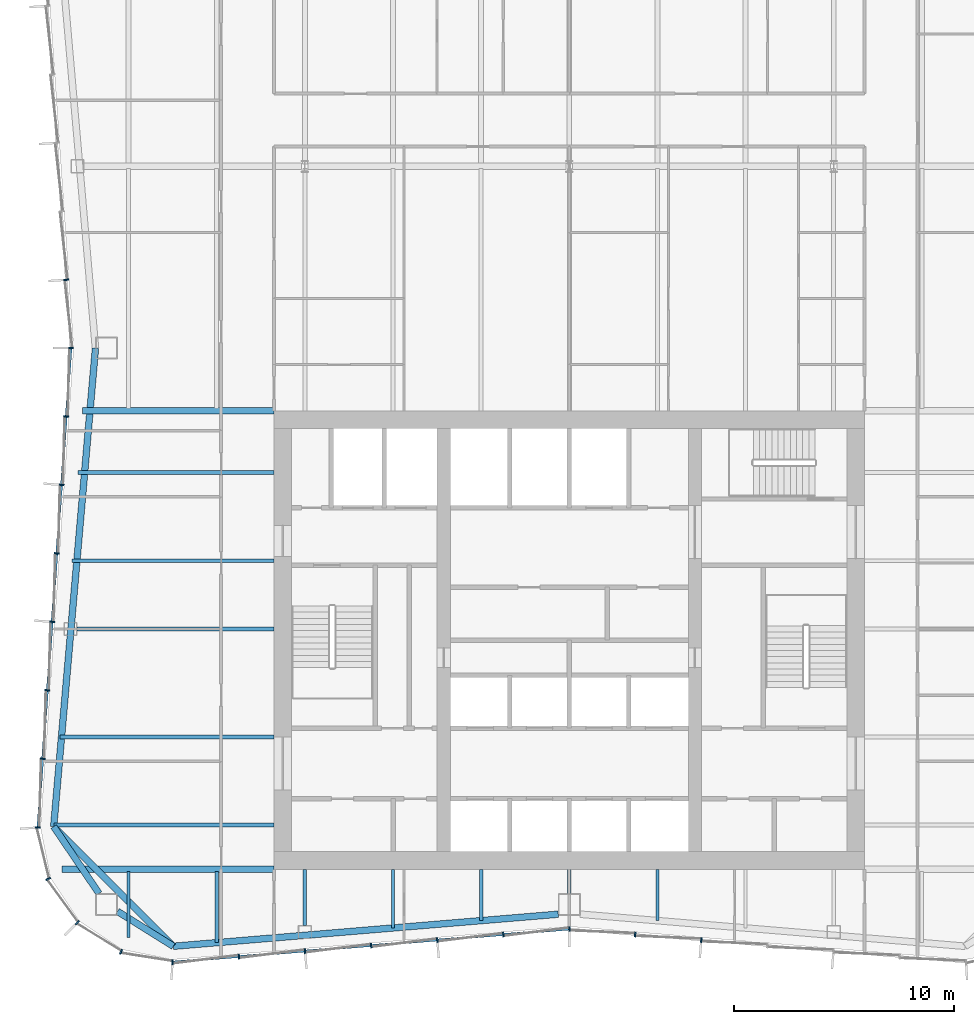
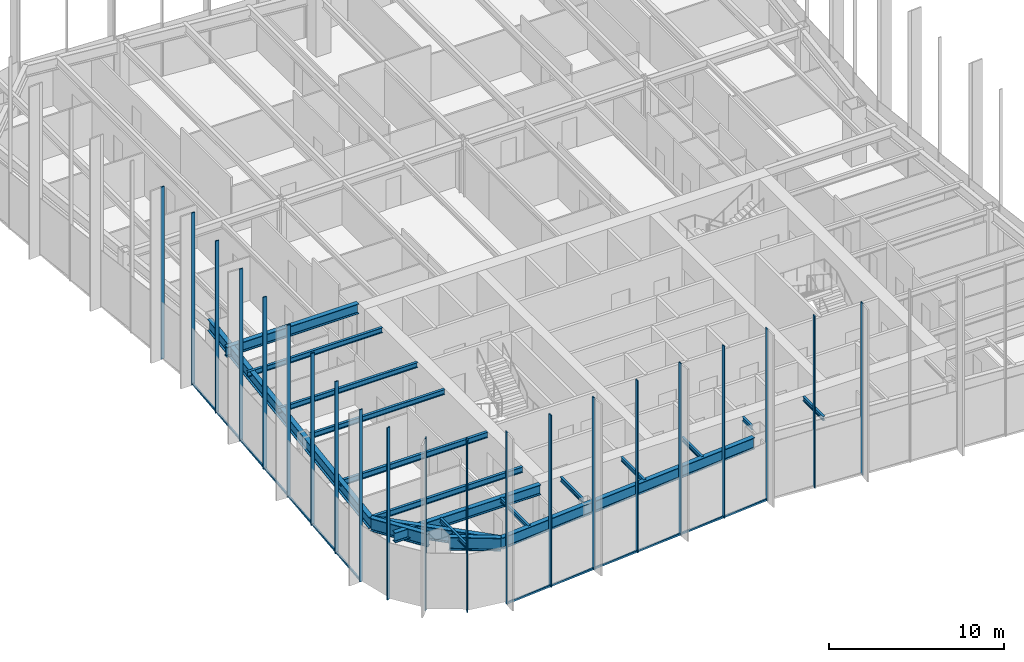
# One storey, part 3 of 15: 23 members, 19 beams, 3 elements without a shape of their own.
"""IFC4 building model written with IfcOpenShell, lengths in metres."""

from ifc_helpers import new_model, si_unit, direction, frame, origin, origin_2d, place, context, subcontext, project, spatial, rectangle, i_section, extrude, material, material_profile, profile_set, type_object, element, aggregate, save


model = new_model("IFC4")

# Units and contexts
model_context = context("Model", 3, precision=1e-05, world=origin(), true_north=direction((0.0, 1.0)))
body_context = subcontext(model_context, "Body", "Model", "MODEL_VIEW")
ifc_project = project(units=[si_unit("LENGTHUNIT", "METRE"), si_unit("AREAUNIT", "SQUARE_METRE"), si_unit("VOLUMEUNIT", "CUBIC_METRE"), si_unit("PLANEANGLEUNIT", "RADIAN"), si_unit("MASSUNIT", "GRAM", prefix="KILO")], contexts=[model_context])

# Site, building, storey
site_placement = place(None, origin())
site = spatial("IfcSite", under=ifc_project, at=site_placement, CompositionType="ELEMENT")
building_placement = place(site_placement, origin())
building = spatial("IfcBuilding", under=site, at=building_placement, Name="Verdant Reach Tower", CompositionType="ELEMENT")
storey_placement = place(building_placement, frame((0.0, 0.0, 262.0)))
storey = spatial("IfcBuildingStorey", under=building, at=storey_placement, Name="L60", CompositionType="ELEMENT", Elevation=262.0)

# Curtain wall, members
ifc_material_1 = material(Name="Anodised aluminium", Category="aluminium")
curtain_wall_type = type_object("IfcCurtainWallType", Name="EN-CW SYSTEM Z4", PredefinedType="NOTDEFINED", material=ifc_material_1)
curtain_wall_1_placement = place(storey_placement, origin())
curtain_wall_1 = element("IfcCurtainWall", 1, at=curtain_wall_1_placement, inside=storey, type_object=curtain_wall_type, Name="Curtain wall west, L60", PredefinedType="NOTDEFINED")
ifc_material_profile_1 = material_profile(ifc_material_1, rectangle(XDim=0.22412109375, YDim=0.068115234375, at=origin_2d()), Name="Mullion 68x224")
ifc_profile_set_1 = profile_set([ifc_material_profile_1], Name="Anodised aluminium")
member_type_1 = type_object("IfcMemberType", Name="EN-MULLION Z4", PredefinedType="MULLION", material=ifc_profile_set_1)
member_1_placement = place(storey_placement, frame((-22.825927734375, 44.349365234375, -0.35009765625), z_axis=(0.0, 0.0, 1.0), x_axis=(-0.997630328423, -0.068802091615, 0.0)))
member_1 = element("IfcMember", 2, at=member_1_placement, type_object=member_type_1, Name="Mullion west face part 1 7, L60", PredefinedType="MULLION", context=body_context, shape_type="SweptSolid", body=[
    extrude(rectangle(XDim=0.22412109375, YDim=0.068115234375, at=origin_2d()), origin(), (0.0, 0.0, 1.0), 12.0),
])
member_2_placement = place(storey_placement, frame((-22.612060546875, 41.25, -0.35009765625), z_axis=(0.0, 0.0, 1.0), x_axis=(-1.0, 0.0, 0.0)))
member_2 = element("IfcMember", 3, at=member_2_placement, type_object=member_type_1, Name="Mullion west face part 2 1, L60", PredefinedType="MULLION", context=body_context, shape_type="SweptSolid", body=[
    extrude(rectangle(XDim=0.22412109375, YDim=0.068115234375, at=origin_2d()), origin(), (0.0, 0.0, 1.0), 12.0),
])
member_3_placement = place(storey_placement, frame((-22.825927734375, 38.150634765625, -0.35009765625), z_axis=(0.0, 0.0, 1.0), x_axis=(-0.997630328423, 0.068802091615, 0.0)))
member_3 = element("IfcMember", 4, at=member_3_placement, type_object=member_type_1, Name="Mullion west face part 2 2, L60", PredefinedType="MULLION", context=body_context, shape_type="SweptSolid", body=[
    extrude(rectangle(XDim=0.22412109375, YDim=0.068115234375, at=origin_2d()), origin(), (0.0, 0.0, 1.0), 12.0),
])
member_4_placement = place(storey_placement, frame((-23.040283203125, 35.04345703125, -0.35009765625), z_axis=(0.0, 0.0, 1.0), x_axis=(-0.997630328423, 0.068802091615, 0.0)))
member_4 = element("IfcMember", 5, at=member_4_placement, type_object=member_type_1, Name="Mullion west face part 2 3, L60", PredefinedType="MULLION", context=body_context, shape_type="SweptSolid", body=[
    extrude(rectangle(XDim=0.22412109375, YDim=0.068115234375, at=origin_2d()), origin(), (0.0, 0.0, 1.0), 12.0),
])
member_5_placement = place(storey_placement, frame((-23.254638671875, 31.936279296875, -0.35009765625), z_axis=(0.0, 0.0, 1.0), x_axis=(-0.997630328423, 0.068802091615, 0.0)))
member_5 = element("IfcMember", 6, at=member_5_placement, type_object=member_type_1, Name="Mullion west face part 2 4, L60", PredefinedType="MULLION", context=body_context, shape_type="SweptSolid", body=[
    extrude(rectangle(XDim=0.22412109375, YDim=0.068115234375, at=origin_2d()), origin(), (0.0, 0.0, 1.0), 12.0),
])
member_6_placement = place(storey_placement, frame((-23.468994140625, 28.8291015625, -0.35009765625), z_axis=(0.0, 0.0, 1.0), x_axis=(-0.997630328423, 0.068802091615, 0.0)))
member_6 = element("IfcMember", 7, at=member_6_placement, type_object=member_type_1, Name="Mullion west face part 2 5, L60", PredefinedType="MULLION", context=body_context, shape_type="SweptSolid", body=[
    extrude(rectangle(XDim=0.22412109375, YDim=0.068115234375, at=origin_2d()), origin(), (0.0, 0.0, 1.0), 12.0),
])
member_7_placement = place(storey_placement, frame((-23.68310546875, 25.721923828125, -0.35009765625), z_axis=(0.0, 0.0, 1.0), x_axis=(-0.997630328423, 0.068802091615, 0.0)))
member_7 = element("IfcMember", 8, at=member_7_placement, type_object=member_type_1, Name="Mullion west face part 2 6, L60", PredefinedType="MULLION", context=body_context, shape_type="SweptSolid", body=[
    extrude(rectangle(XDim=0.22412109375, YDim=0.068115234375, at=origin_2d()), origin(), (0.0, 0.0, 1.0), 12.0),
])
member_8_placement = place(storey_placement, frame((-23.8974609375, 22.61474609375, -0.35009765625), z_axis=(0.0, 0.0, 1.0), x_axis=(-0.997630328423, 0.068802091615, 0.0)))
member_8 = element("IfcMember", 9, at=member_8_placement, type_object=member_type_1, Name="Mullion west face part 2 7, L60", PredefinedType="MULLION", context=body_context, shape_type="SweptSolid", body=[
    extrude(rectangle(XDim=0.22412109375, YDim=0.068115234375, at=origin_2d()), origin(), (0.0, 0.0, 1.0), 12.0),
])

curtain_wall_2_placement = place(storey_placement, origin())
curtain_wall_2 = element("IfcCurtainWall", 10, at=curtain_wall_2_placement, inside=storey, type_object=curtain_wall_type, Name="Curtain wall south-west corner, L60", PredefinedType="NOTDEFINED")
member_9_placement = place(storey_placement, frame((-24.11181640625, 19.492919921875, -0.35009765625), z_axis=(0.0, 0.0, 1.0), x_axis=(-0.997969180898, -0.063698618332, 0.0)))
member_9 = element("IfcMember", 11, at=member_9_placement, type_object=member_type_1, Name="Mullion south-west corner 1, L60", PredefinedType="MULLION", context=body_context, shape_type="SweptSolid", body=[
    extrude(rectangle(XDim=0.22412109375, YDim=0.068115234375, at=origin_2d()), origin(), (0.0, 0.0, 1.0), 12.0),
])
member_10_placement = place(storey_placement, frame((-23.646728515625, 17.1611328125, -0.35009765625), z_axis=(0.0, 0.0, 1.0), x_axis=(-0.923875215753, -0.382693853776, 0.0)))
member_10 = element("IfcMember", 12, at=member_10_placement, type_object=member_type_1, Name="Mullion south-west corner 2, L60", PredefinedType="MULLION", context=body_context, shape_type="SweptSolid", body=[
    extrude(rectangle(XDim=0.22412109375, YDim=0.068115234375, at=origin_2d()), origin(), (0.0, 0.0, 1.0), 12.0),
])
member_11_placement = place(storey_placement, frame((-22.32177734375, 15.17822265625, -0.35009765625), z_axis=(0.0, 0.0, 1.0), x_axis=(-0.707106781187, -0.707106781187, 0.0)))
member_11 = element("IfcMember", 13, at=member_11_placement, type_object=member_type_1, Name="Mullion south-west corner 3, L60", PredefinedType="MULLION", context=body_context, shape_type="SweptSolid", body=[
    extrude(rectangle(XDim=0.22412109375, YDim=0.068115234375, at=origin_2d()), origin(), (0.0, 0.0, 1.0), 12.0),
])
member_12_placement = place(storey_placement, frame((-20.3388671875, 13.853271484375, -0.35009765625), z_axis=(0.0, 0.0, 1.0), x_axis=(-0.382693853776, -0.923875215753, 0.0)))
member_12 = element("IfcMember", 14, at=member_12_placement, type_object=member_type_1, Name="Mullion south-west corner 4, L60", PredefinedType="MULLION", context=body_context, shape_type="SweptSolid", body=[
    extrude(rectangle(XDim=0.22412109375, YDim=0.068115234375, at=origin_2d()), origin(), (0.0, 0.0, 1.0), 12.0),
])
aggregate(curtain_wall_2, [member_9, member_10, member_11, member_12])

curtain_wall_3_placement = place(storey_placement, origin())
curtain_wall_3 = element("IfcCurtainWall", 15, at=curtain_wall_3_placement, inside=storey, type_object=curtain_wall_type, Name="Curtain wall south, L60", PredefinedType="NOTDEFINED")
member_13_placement = place(storey_placement, frame((-18.00634765625, 13.38818359375, -0.35009765625), z_axis=(0.0, 0.0, 1.0), x_axis=(-0.056569187765, -0.998398681387, 0.0)))
member_13 = element("IfcMember", 16, at=member_13_placement, type_object=member_type_1, Name="Mullion south face part 1 1, L60", PredefinedType="MULLION", context=body_context, shape_type="SweptSolid", body=[
    extrude(rectangle(XDim=0.22412109375, YDim=0.068115234375, at=origin_2d()), origin(), (0.0, 0.0, 1.0), 12.0),
])
member_14_placement = place(storey_placement, frame((-14.99072265625, 13.638427734375, -0.35009765625), z_axis=(0.0, 0.0, 1.0), x_axis=(0.083045479859, -0.996545758244, 0.0)))
member_14 = element("IfcMember", 17, at=member_14_placement, type_object=member_type_1, Name="Mullion south face part 1 2, L60", PredefinedType="MULLION", context=body_context, shape_type="SweptSolid", body=[
    extrude(rectangle(XDim=0.22412109375, YDim=0.068115234375, at=origin_2d()), origin(), (0.0, 0.0, 1.0), 12.0),
])
member_15_placement = place(storey_placement, frame((-11.99072265625, 13.888427734375, -0.35009765625), z_axis=(0.0, 0.0, 1.0), x_axis=(0.083045479859, -0.996545758244, 0.0)))
member_15 = element("IfcMember", 18, at=member_15_placement, type_object=member_type_1, Name="Mullion south face part 1 3, L60", PredefinedType="MULLION", context=body_context, shape_type="SweptSolid", body=[
    extrude(rectangle(XDim=0.22412109375, YDim=0.068115234375, at=origin_2d()), origin(), (0.0, 0.0, 1.0), 12.0),
])
member_16_placement = place(storey_placement, frame((-8.99072265625, 14.138427734375, -0.35009765625), z_axis=(0.0, 0.0, 1.0), x_axis=(0.083045479859, -0.996545758244, 0.0)))
member_16 = element("IfcMember", 19, at=member_16_placement, type_object=member_type_1, Name="Mullion south face part 1 4, L60", PredefinedType="MULLION", context=body_context, shape_type="SweptSolid", body=[
    extrude(rectangle(XDim=0.22412109375, YDim=0.068115234375, at=origin_2d()), origin(), (0.0, 0.0, 1.0), 12.0),
])
member_17_placement = place(storey_placement, frame((-5.99072265625, 14.388427734375, -0.35009765625), z_axis=(0.0, 0.0, 1.0), x_axis=(0.083045479859, -0.996545758244, 0.0)))
member_17 = element("IfcMember", 20, at=member_17_placement, type_object=member_type_1, Name="Mullion south face part 1 5, L60", PredefinedType="MULLION", context=body_context, shape_type="SweptSolid", body=[
    extrude(rectangle(XDim=0.22412109375, YDim=0.068115234375, at=origin_2d()), origin(), (0.0, 0.0, 1.0), 12.0),
])
member_18_placement = place(storey_placement, frame((-2.99072265625, 14.638427734375, -0.35009765625), z_axis=(0.0, 0.0, 1.0), x_axis=(0.083045479859, -0.996545758244, 0.0)))
member_18 = element("IfcMember", 21, at=member_18_placement, type_object=member_type_1, Name="Mullion south face part 1 6, L60", PredefinedType="MULLION", context=body_context, shape_type="SweptSolid", body=[
    extrude(rectangle(XDim=0.22412109375, YDim=0.068115234375, at=origin_2d()), origin(), (0.0, 0.0, 1.0), 12.0),
])
member_19_placement = place(storey_placement, frame((0.0, 14.887939453125, -0.35009765625), z_axis=(0.0, 0.0, 1.0), x_axis=(0.0, -1.0, 0.0)))
member_19 = element("IfcMember", 22, at=member_19_placement, type_object=member_type_1, Name="Mullion south face part 2 1, L60", PredefinedType="MULLION", context=body_context, shape_type="SweptSolid", body=[
    extrude(rectangle(XDim=0.22412109375, YDim=0.068115234375, at=origin_2d()), origin(), (0.0, 0.0, 1.0), 12.0),
])
member_20_placement = place(storey_placement, frame((2.99072265625, 14.638427734375, -0.35009765625), z_axis=(0.0, 0.0, 1.0), x_axis=(-0.083045479859, -0.996545758244, 0.0)))
member_20 = element("IfcMember", 23, at=member_20_placement, type_object=member_type_1, Name="Mullion south face part 2 2, L60", PredefinedType="MULLION", context=body_context, shape_type="SweptSolid", body=[
    extrude(rectangle(XDim=0.22412109375, YDim=0.068115234375, at=origin_2d()), origin(), (0.0, 0.0, 1.0), 12.0),
])
member_21_placement = place(storey_placement, frame((5.99072265625, 14.388427734375, -0.35009765625), z_axis=(0.0, 0.0, 1.0), x_axis=(-0.083045479859, -0.996545758244, 0.0)))
member_21 = element("IfcMember", 24, at=member_21_placement, type_object=member_type_1, Name="Mullion south face part 2 3, L60", PredefinedType="MULLION", context=body_context, shape_type="SweptSolid", body=[
    extrude(rectangle(XDim=0.22412109375, YDim=0.068115234375, at=origin_2d()), origin(), (0.0, 0.0, 1.0), 12.0),
])

# Member
ifc_material_profile_2 = material_profile(ifc_material_1, rectangle(XDim=0.10009765625, YDim=0.1279296875, at=origin_2d()), Name="Transom 128x100")
ifc_profile_set_2 = profile_set([ifc_material_profile_2], Name="Anodised aluminium")
member_type_2 = type_object("IfcMemberType", Name="EN-TRANSOM Z4", PredefinedType="USERDEFINED", material=ifc_profile_set_2)
member_22_placement = place(storey_placement, frame((-22.6142578125, 41.216064453125, -0.285888671875), z_axis=(-0.068770489035, -0.997632507408, 0.0), x_axis=(0.997632507408, -0.068770489035, 0.0)))
member_22 = element("IfcMember", 25, at=member_22_placement, type_object=member_type_2, Name="Transom west face part 2 1.1, L60", ObjectType="TRANSOM", PredefinedType="USERDEFINED", context=body_context, shape_type="SweptSolid", body=[
    extrude(rectangle(XDim=0.10009765625, YDim=0.1279296875, at=origin_2d()), origin(), (0.0, 0.0, 1.0), 21.74072265625),
])

aggregate(curtain_wall_1, [member_1, member_2, member_3, member_4, member_5, member_6, member_7, member_8, member_22])

member_23_placement = place(storey_placement, frame((-17.972412109375, 13.39111328125, -0.285888671875), z_axis=(0.996549124771, 0.083005071637, 0.0), x_axis=(-0.083005071637, 0.996549124771, 0.0)))
member_23 = element("IfcMember", 26, at=member_23_placement, type_object=member_type_2, Name="Transom south face part 1 1.1, L60", ObjectType="TRANSOM", PredefinedType="USERDEFINED", context=body_context, shape_type="SweptSolid", body=[
    extrude(rectangle(XDim=0.10009765625, YDim=0.1279296875, at=origin_2d()), origin(), (0.0, 0.0, 1.0), 18.00048828125),
])

aggregate(curtain_wall_3, [member_13, member_14, member_15, member_16, member_17, member_18, member_23, member_19, member_20, member_21])

# Beams
ifc_material_2 = material(Name="Steel S355", Category="steel")
ifc_material_profile_3 = material_profile(ifc_material_2, i_section(OverallWidth=0.300048828125, OverallDepth=0.699951171875, WebThickness=0.01708984375, FlangeThickness=0.031982421875, FilletRadius=0.027099609375, at=origin_2d()), Name="HEB 700")
ifc_profile_set_3 = profile_set([ifc_material_profile_3], Name="Steel S355")
beam_type_1 = type_object("IfcBeamType", Name="ST-BEAM-HEB700", PredefinedType="BEAM", material=ifc_profile_set_3)
beam_1_placement = place(storey_placement, frame((-13.39990234375, 38.39990234375, 3.52001953125), z_axis=(-1.0, 0.0, 0.0), x_axis=(0.0, -1.0, 0.0)))
element("IfcBeam", 27, at=beam_1_placement, inside=storey, type_object=beam_type_1, Name="Trimmer beam, L60", PredefinedType="BEAM", context=body_context, shape_type="SweptSolid", body=[
    extrude(i_section(OverallWidth=0.300048828125, OverallDepth=0.699951171875, WebThickness=0.01708984375, FlangeThickness=0.031982421875, FilletRadius=0.027099609375, at=origin_2d()), origin(), (0.0, 0.0, 1.0), 8.6953125),
])
beam_2_placement = place(storey_placement, frame((-13.39990234375, 17.60009765625, 3.52001953125), z_axis=(-1.0, 0.0, 0.0), x_axis=(0.0, -1.0, 0.0)))
element("IfcBeam", 28, at=beam_2_placement, inside=storey, type_object=beam_type_1, Name="Trimmer beam, L60", PredefinedType="BEAM", context=body_context, shape_type="SweptSolid", body=[
    extrude(i_section(OverallWidth=0.300048828125, OverallDepth=0.699951171875, WebThickness=0.01708984375, FlangeThickness=0.031982421875, FilletRadius=0.027099609375, at=origin_2d()), origin(), (0.0, 0.0, 1.0), 9.6103515625),
])
ifc_material_profile_4 = material_profile(ifc_material_2, i_section(OverallWidth=0.302001953125, OverallDepth=0.909912109375, WebThickness=0.02099609375, FlangeThickness=0.0400390625, FilletRadius=0.030029296875, at=origin_2d()), Name="HEM 900")
ifc_profile_set_4 = profile_set([ifc_material_profile_4], Name="Steel S355")
beam_type_2 = type_object("IfcBeamType", Name="ST-BEAM-HEM900", PredefinedType="BEAM", material=ifc_profile_set_4)
beam_3_placement = place(storey_placement, frame((-20.5, 15.687744140625, 3.4150390625), z_axis=(0.848163521635, -0.529734500073, 0.0), x_axis=(0.529734500073, 0.848163521635, 0.0)))
element("IfcBeam", 29, at=beam_3_placement, inside=storey, type_object=beam_type_2, Name="Column stub beam, L60", PredefinedType="BEAM", context=body_context, shape_type="SweptSolid", body=[
    extrude(i_section(OverallWidth=0.302001953125, OverallDepth=0.909912109375, WebThickness=0.02099609375, FlangeThickness=0.0400390625, FilletRadius=0.030029296875, at=origin_2d()), origin(), (0.0, 0.0, 1.0), 2.98779296875),
])
beam_4_placement = place(storey_placement, frame((-21.33837890625, 16.5, 3.4150390625), z_axis=(-0.560703975309, 0.828016335631, 0.0), x_axis=(-0.828016335631, -0.560703975309, 0.0)))
element("IfcBeam", 30, at=beam_4_placement, inside=storey, type_object=beam_type_2, Name="Column stub beam, L60", PredefinedType="BEAM", context=body_context, shape_type="SweptSolid", body=[
    extrude(i_section(OverallWidth=0.302001953125, OverallDepth=0.909912109375, WebThickness=0.02099609375, FlangeThickness=0.0400390625, FilletRadius=0.030029296875, at=origin_2d()), origin(), (0.0, 0.0, 1.0), 3.669677734375),
])
ifc_material_profile_5 = material_profile(ifc_material_2, i_section(OverallWidth=0.14990234375, OverallDepth=0.300048828125, WebThickness=0.007080078125, FlangeThickness=0.0107421875, FilletRadius=0.014892578125, at=origin_2d()), Name="IPE 300")
ifc_profile_set_5 = profile_set([ifc_material_profile_5], Name="Steel S355")
beam_type_3 = type_object("IfcBeamType", Name="ST-JOIST-IPE300", PredefinedType="JOIST", material=ifc_profile_set_5)
beam_5_placement = place(storey_placement, frame((-20.0, 17.5, 3.719970703125), z_axis=(0.0, -1.0, 0.0), x_axis=(1.0, 0.0, 0.0)))
element("IfcBeam", 31, at=beam_5_placement, inside=storey, type_object=beam_type_3, Name="Floor joist, L60", PredefinedType="JOIST", context=body_context, shape_type="SweptSolid", body=[
    extrude(i_section(OverallWidth=0.14990234375, OverallDepth=0.300048828125, WebThickness=0.007080078125, FlangeThickness=0.0107421875, FilletRadius=0.014892578125, at=origin_2d()), origin(), (0.0, 0.0, 1.0), 2.990478515625),
])
beam_6_placement = place(storey_placement, frame((-16.0, 17.5, 3.719970703125), z_axis=(0.0, -1.0, 0.0), x_axis=(1.0, 0.0, 0.0)))
element("IfcBeam", 32, at=beam_6_placement, inside=storey, type_object=beam_type_3, Name="Floor joist, L60", PredefinedType="JOIST", context=body_context, shape_type="SweptSolid", body=[
    extrude(i_section(OverallWidth=0.14990234375, OverallDepth=0.300048828125, WebThickness=0.007080078125, FlangeThickness=0.0107421875, FilletRadius=0.014892578125, at=origin_2d()), origin(), (0.0, 0.0, 1.0), 3.231201171875),
])
beam_7_placement = place(storey_placement, frame((-12.0, 17.60009765625, 3.719970703125), z_axis=(0.0, -1.0, 0.0), x_axis=(1.0, 0.0, 0.0)))
element("IfcBeam", 33, at=beam_7_placement, inside=storey, type_object=beam_type_3, Name="Floor joist, L60", PredefinedType="JOIST", context=body_context, shape_type="SweptSolid", body=[
    extrude(i_section(OverallWidth=0.14990234375, OverallDepth=0.300048828125, WebThickness=0.007080078125, FlangeThickness=0.0107421875, FilletRadius=0.014892578125, at=origin_2d()), origin(), (0.0, 0.0, 1.0), 2.550048828125),
])
beam_8_placement = place(storey_placement, frame((-8.0, 17.60009765625, 3.719970703125), z_axis=(0.0, -1.0, 0.0), x_axis=(1.0, 0.0, 0.0)))
element("IfcBeam", 34, at=beam_8_placement, inside=storey, type_object=beam_type_3, Name="Floor joist, L60", PredefinedType="JOIST", context=body_context, shape_type="SweptSolid", body=[
    extrude(i_section(OverallWidth=0.14990234375, OverallDepth=0.300048828125, WebThickness=0.007080078125, FlangeThickness=0.0107421875, FilletRadius=0.014892578125, at=origin_2d()), origin(), (0.0, 0.0, 1.0), 2.664794921875),
])
beam_9_placement = place(storey_placement, frame((-4.0, 17.60009765625, 3.719970703125), z_axis=(0.0, -1.0, 0.0), x_axis=(1.0, 0.0, 0.0)))
element("IfcBeam", 35, at=beam_9_placement, inside=storey, type_object=beam_type_3, Name="Floor joist, L60", PredefinedType="JOIST", context=body_context, shape_type="SweptSolid", body=[
    extrude(i_section(OverallWidth=0.14990234375, OverallDepth=0.300048828125, WebThickness=0.007080078125, FlangeThickness=0.0107421875, FilletRadius=0.014892578125, at=origin_2d()), origin(), (0.0, 0.0, 1.0), 2.331298828125),
])
beam_10_placement = place(storey_placement, frame((0.0, 17.60009765625, 3.719970703125), z_axis=(0.0, -1.0, 0.0), x_axis=(1.0, 0.0, 0.0)))
element("IfcBeam", 36, at=beam_10_placement, inside=storey, type_object=beam_type_3, Name="Floor joist, L60", PredefinedType="JOIST", context=body_context, shape_type="SweptSolid", body=[
    extrude(i_section(OverallWidth=0.14990234375, OverallDepth=0.300048828125, WebThickness=0.007080078125, FlangeThickness=0.0107421875, FilletRadius=0.014892578125, at=origin_2d()), origin(), (0.0, 0.0, 1.0), 1.10009765625),
])
beam_11_placement = place(storey_placement, frame((4.0, 17.60009765625, 3.719970703125), z_axis=(0.0, -1.0, 0.0), x_axis=(1.0, 0.0, 0.0)))
element("IfcBeam", 37, at=beam_11_placement, inside=storey, type_object=beam_type_3, Name="Floor joist, L60", PredefinedType="JOIST", context=body_context, shape_type="SweptSolid", body=[
    extrude(i_section(OverallWidth=0.14990234375, OverallDepth=0.300048828125, WebThickness=0.007080078125, FlangeThickness=0.0107421875, FilletRadius=0.014892578125, at=origin_2d()), origin(), (0.0, 0.0, 1.0), 2.331298828125),
])
ifc_material_profile_6 = material_profile(ifc_material_2, i_section(OverallWidth=0.169921875, OverallDepth=0.360107421875, WebThickness=0.008056640625, FlangeThickness=0.0126953125, FilletRadius=0.01806640625, at=origin_2d()), Name="IPE 360")
ifc_profile_set_6 = profile_set([ifc_material_profile_6], Name="Steel S355")
beam_type_4 = type_object("IfcBeamType", Name="ST-JOIST-IPE360", PredefinedType="JOIST", material=ifc_profile_set_6)
beam_12_placement = place(storey_placement, frame((-13.39990234375, 28.5, 3.68994140625), z_axis=(-1.0, 0.0, 0.0), x_axis=(0.0, -1.0, 0.0)))
element("IfcBeam", 38, at=beam_12_placement, inside=storey, type_object=beam_type_4, Name="Floor joist, L60", PredefinedType="JOIST", context=body_context, shape_type="SweptSolid", body=[
    extrude(i_section(OverallWidth=0.169921875, OverallDepth=0.360107421875, WebThickness=0.008056640625, FlangeThickness=0.0126953125, FilletRadius=0.01806640625, at=origin_2d()), origin(), (0.0, 0.0, 1.0), 8.929443359375),
])
beam_13_placement = place(storey_placement, frame((-13.39990234375, 31.60009765625, 3.68994140625), z_axis=(-1.0, 0.0, 0.0), x_axis=(0.0, -1.0, 0.0)))
element("IfcBeam", 39, at=beam_13_placement, inside=storey, type_object=beam_type_4, Name="Floor joist, L60", PredefinedType="JOIST", context=body_context, shape_type="SweptSolid", body=[
    extrude(i_section(OverallWidth=0.169921875, OverallDepth=0.360107421875, WebThickness=0.008056640625, FlangeThickness=0.0126953125, FilletRadius=0.01806640625, at=origin_2d()), origin(), (0.0, 0.0, 1.0), 9.164306640625),
])
beam_14_placement = place(storey_placement, frame((-13.39990234375, 35.60009765625, 3.68994140625), z_axis=(-1.0, 0.0, 0.0), x_axis=(0.0, -1.0, 0.0)))
element("IfcBeam", 40, at=beam_14_placement, inside=storey, type_object=beam_type_4, Name="Floor joist, L60", PredefinedType="JOIST", context=body_context, shape_type="SweptSolid", body=[
    extrude(i_section(OverallWidth=0.169921875, OverallDepth=0.360107421875, WebThickness=0.008056640625, FlangeThickness=0.0126953125, FilletRadius=0.01806640625, at=origin_2d()), origin(), (0.0, 0.0, 1.0), 8.88818359375),
])
ifc_material_profile_7 = material_profile(ifc_material_2, i_section(OverallWidth=0.179931640625, OverallDepth=0.39990234375, WebThickness=0.008544921875, FlangeThickness=0.013427734375, FilletRadius=0.02099609375, at=origin_2d()), Name="IPE 400")
ifc_profile_set_7 = profile_set([ifc_material_profile_7], Name="Steel S355")
beam_type_5 = type_object("IfcBeamType", Name="ST-JOIST-IPE400", PredefinedType="JOIST", material=ifc_profile_set_7)
beam_15_placement = place(storey_placement, frame((-13.39990234375, 19.60009765625, 3.669921875), z_axis=(-1.0, 0.0, 0.0), x_axis=(0.0, -1.0, 0.0)))
element("IfcBeam", 41, at=beam_15_placement, inside=storey, type_object=beam_type_5, Name="Floor joist, L60", PredefinedType="JOIST", context=body_context, shape_type="SweptSolid", body=[
    extrude(i_section(OverallWidth=0.179931640625, OverallDepth=0.39990234375, WebThickness=0.008544921875, FlangeThickness=0.013427734375, FilletRadius=0.02099609375, at=origin_2d()), origin(), (0.0, 0.0, 1.0), 9.99169921875),
])
beam_16_placement = place(storey_placement, frame((-13.39990234375, 23.60009765625, 3.669921875), z_axis=(-1.0, 0.0, 0.0), x_axis=(0.0, -1.0, 0.0)))
element("IfcBeam", 42, at=beam_16_placement, inside=storey, type_object=beam_type_5, Name="Floor joist, L60", PredefinedType="JOIST", context=body_context, shape_type="SweptSolid", body=[
    extrude(i_section(OverallWidth=0.179931640625, OverallDepth=0.39990234375, WebThickness=0.008544921875, FlangeThickness=0.013427734375, FilletRadius=0.02099609375, at=origin_2d()), origin(), (0.0, 0.0, 1.0), 9.7158203125),
])
ifc_material_profile_8 = material_profile(ifc_material_2, i_section(OverallWidth=0.300048828125, OverallDepth=0.800048828125, WebThickness=0.017578125, FlangeThickness=0.032958984375, FilletRadius=0.030029296875, at=origin_2d()), Name="HEB 800")
ifc_profile_set_8 = profile_set([ifc_material_profile_8], Name="Steel S355")
beam_type_6 = type_object("IfcBeamType", Name="ST-SPANDREL-HEB800", PredefinedType="SPANDREL", material=ifc_profile_set_8)
beam_17_placement = place(storey_placement, frame((-0.5, 15.560302734375, 3.469970703125), z_axis=(-0.99654652675, -0.083036257282, 0.0), x_axis=(0.083036257282, -0.99654652675, 0.0)))
element("IfcBeam", 43, at=beam_17_placement, inside=storey, type_object=beam_type_6, Name="Edge beam, L60", PredefinedType="SPANDREL", context=body_context, shape_type="SweptSolid", body=[
    extrude(i_section(OverallWidth=0.300048828125, OverallDepth=0.800048828125, WebThickness=0.017578125, FlangeThickness=0.032958984375, FilletRadius=0.030029296875, at=origin_2d()), origin(), (0.0, 0.0, 1.0), 17.5263671875),
])
beam_18_placement = place(storey_placement, frame((-23.39599609375, 19.53857421875, 3.469970703125), z_axis=(0.086996024331, 0.996208658741, 0.0), x_axis=(-0.996208658741, 0.086996024331, 0.0)))
element("IfcBeam", 44, at=beam_18_placement, inside=storey, type_object=beam_type_6, Name="Edge beam, L60", PredefinedType="SPANDREL", context=body_context, shape_type="SweptSolid", body=[
    extrude(i_section(OverallWidth=0.300048828125, OverallDepth=0.800048828125, WebThickness=0.017578125, FlangeThickness=0.032958984375, FilletRadius=0.030029296875, at=origin_2d()), origin(), (0.0, 0.0, 1.0), 21.7939453125),
])
ifc_material_profile_9 = material_profile(ifc_material_2, i_section(OverallWidth=0.302001953125, OverallDepth=0.909912109375, WebThickness=0.02099609375, FlangeThickness=0.0400390625, FilletRadius=0.030029296875, at=origin_2d()), Name="HEM 900")
ifc_profile_set_9 = profile_set([ifc_material_profile_9], Name="Steel S355")
beam_type_7 = type_object("IfcBeamType", Name="ST-SPANDREL-HEM900", PredefinedType="SPANDREL", material=ifc_profile_set_9)
beam_19_placement = place(storey_placement, frame((-17.9658203125, 14.10498046875, 3.4150390625), z_axis=(-0.706884275642, 0.707329216738, 0.0), x_axis=(-0.707329216738, -0.706884275642, 0.0)))
element("IfcBeam", 45, at=beam_19_placement, inside=storey, type_object=beam_type_7, Name="Edge beam, L60", PredefinedType="SPANDREL", context=body_context, shape_type="SweptSolid", body=[
    extrude(i_section(OverallWidth=0.302001953125, OverallDepth=0.909912109375, WebThickness=0.02099609375, FlangeThickness=0.0400390625, FilletRadius=0.030029296875, at=origin_2d()), origin(), (0.0, 0.0, 1.0), 7.681884765625),
])

save(model, "model.ifc")
